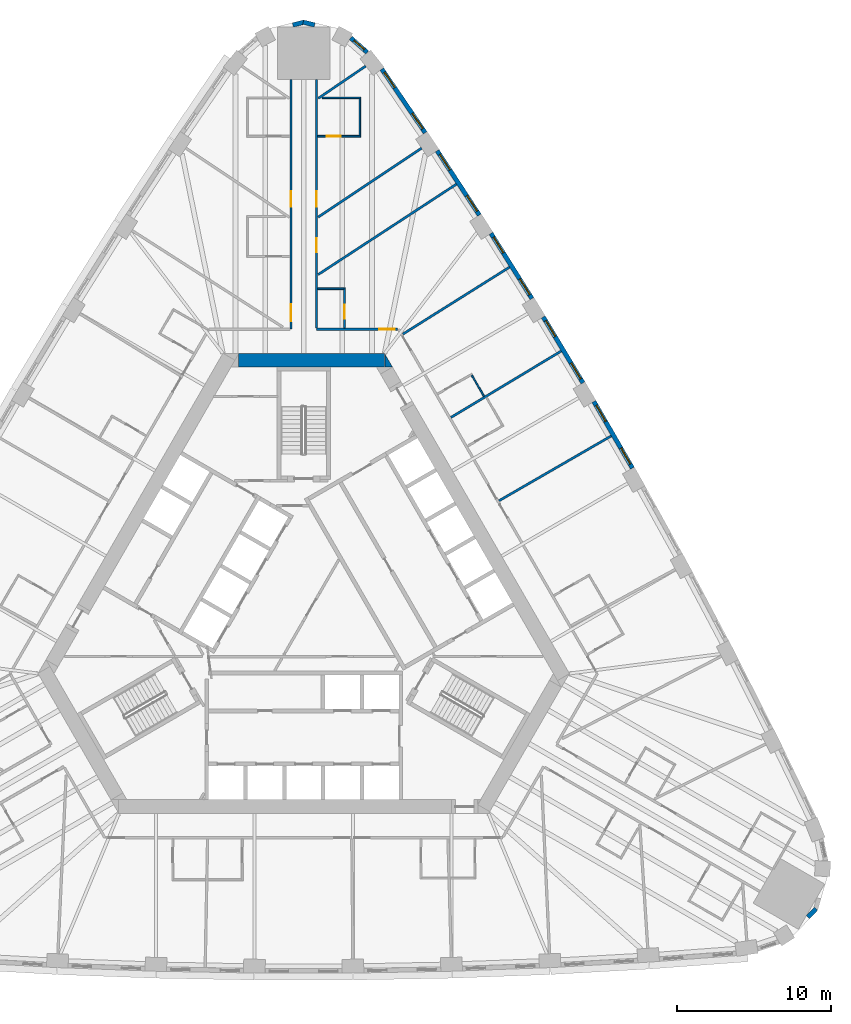
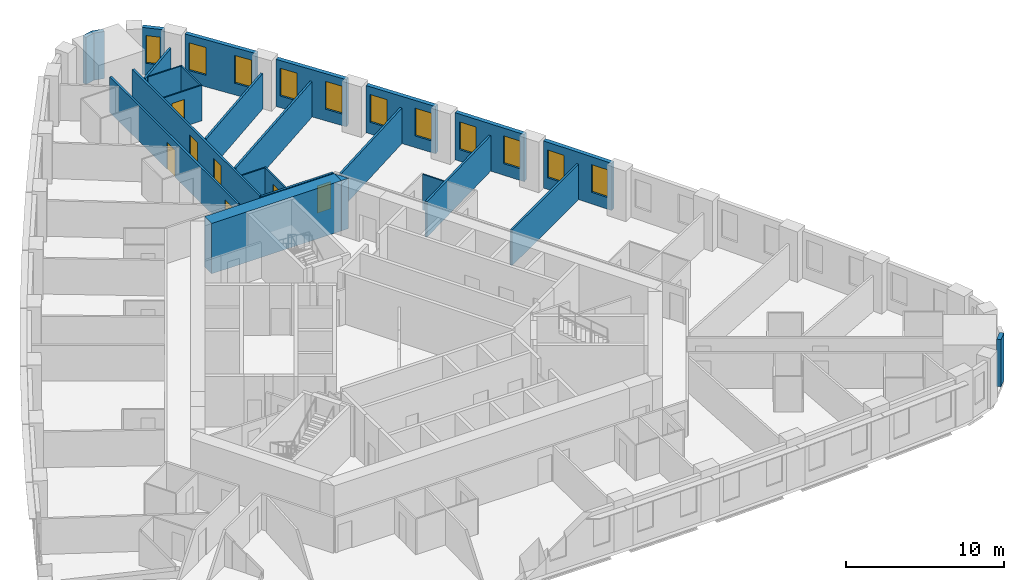
# One storey, part 11 of 13: 26 walls, 11 windows, 7 doors, 18 openings.
"""IFC4 building model written with IfcOpenShell, lengths in metres."""

from ifc_helpers import new_model, si_unit, direction, frame, frame_2d, origin, place, context, subcontext, project, spatial, polyline, rectangle, outline, extrude, material, layer, layer_set, type_object, element, fill, save


model = new_model("IFC4")

# Units and contexts
model_context = context("Model", 3, precision=1e-05, world=origin(), true_north=direction((0.0, 1.0)))
body_context = subcontext(model_context, "Body", "Model", "MODEL_VIEW")
ifc_project = project(units=[si_unit("LENGTHUNIT", "METRE"), si_unit("AREAUNIT", "SQUARE_METRE"), si_unit("VOLUMEUNIT", "CUBIC_METRE"), si_unit("PLANEANGLEUNIT", "RADIAN"), si_unit("MASSUNIT", "GRAM", prefix="KILO")], contexts=[model_context])

# Site, building, storey
site_placement = place(None, origin())
site = spatial("IfcSite", under=ifc_project, at=site_placement, CompositionType="ELEMENT")
building_placement = place(site_placement, origin())
building = spatial("IfcBuilding", under=site, at=building_placement, Name="Mestral Congress Tower", CompositionType="ELEMENT")
storey_placement = place(building_placement, frame((0.0, 0.0, 54.89990234375)))
storey = spatial("IfcBuildingStorey", under=building, at=storey_placement, Name="L12", CompositionType="ELEMENT", Elevation=54.89990234375)

# Walls
ifc_material_1 = material(Name="Concrete C60/75", Category="concrete")
ifc_layer_1 = layer(ifc_material_1, 0.89990234375)
ifc_layer_set_1 = layer_set([ifc_layer_1], Name="Concrete C60/75")
wall_type_1 = type_object("IfcWallType", Name="Core wall RC 900", PredefinedType="SOLIDWALL", material=ifc_layer_set_1)
wall_1_placement = place(storey_placement, frame((-4.224365234375, 16.449951171875, 0.0), z_axis=(0.0, 0.0, 1.0), x_axis=(1.0, 0.0, 0.0)))
element("IfcWall", 1, at=wall_1_placement, inside=storey, type_object=wall_type_1, Name="L12 core wall", PredefinedType="SOLIDWALL", context=body_context, shape_type="SweptSolid", body=[
    extrude(rectangle(XDim=9.48779296875, YDim=0.89990234375, at=frame_2d((4.743896484375, 0.0))), origin(), (0.0, 0.0, 1.0), 3.900146484375),
])
wall_2_placement = place(storey_placement, origin())
element("IfcWall", 2, at=wall_2_placement, inside=storey, type_object=wall_type_1, Name="L12 core wall", PredefinedType="SOLIDWALL", context=body_context, shape_type="SweptSolid", body=[
    extrude(outline(polyline([(5.265380859375, 16.0), (5.265380859375, 16.8798828125), (5.7734375, 16.0), (5.265380859375, 16.0)])), origin(), (0.0, 0.0, 1.0), 3.900146484375),
])
ifc_material_2 = material(Name="Precast concrete C40/50 with limestone facing", Category="masonry")
ifc_layer_2 = layer(ifc_material_2, 0.2900390625)
ifc_layer_set_2 = layer_set([ifc_layer_2], Name="Precast concrete C40/50 with limestone facing")
wall_type_2 = type_object("IfcWallType", Name="Facade stone wall 290", PredefinedType="SOLIDWALL", material=ifc_layer_set_2)
wall_3_placement = place(storey_placement, frame((32.762451171875, -19.732177734375, 0.0), z_axis=(0.0, 0.0, 1.0), x_axis=(0.692252359589, 0.721655506903, 0.0)))
element("IfcWall", 3, at=wall_3_placement, inside=storey, type_object=wall_type_2, Name="Facade wall K0-1", PredefinedType="SOLIDWALL", context=body_context, shape_type="SweptSolid", body=[
    extrude(rectangle(XDim=0.763916015625, YDim=0.2900390625, at=frame_2d((0.3818359375, 0.0))), origin(), (0.0, 0.0, 1.0), 3.650146484375),
])

# Wall, openings, windows
wall_4_placement = place(storey_placement, frame((21.357177734375, 9.44482421875, 0.0), z_axis=(0.0, 0.0, 1.0), x_axis=(-0.50002123722, 0.866013142123, 0.0)))
wall_4 = element("IfcWall", 4, at=wall_4_placement, inside=storey, type_object=wall_type_2, Name="Facade wall F1-04", PredefinedType="SOLIDWALL", context=body_context, shape_type="SweptSolid", body=[
    extrude(rectangle(XDim=4.998291015625, YDim=0.2900390625, at=frame_2d((2.4990234375, 0.0))), origin(), (0.0, 0.0, 1.0), 3.650146484375),
])
opening_1_placement = place(wall_4_placement, frame((0.297119140625, 0.0, 0.89990234375)))
opening_1 = element("IfcOpeningElement", 5, at=opening_1_placement, cuts=wall_4, Name="Opening W1", PredefinedType="OPENING", context=body_context, shape_type="SweptSolid", body=[
    extrude(rectangle(XDim=1.199951171875, YDim=2.14990234375, at=frame_2d((0.60009765625, 1.074951171875))), frame((0.0, 0.155029296875, 0.0), z_axis=(0.0, -1.0, 0.0), x_axis=(1.0, 0.0, 0.0)), (0.0, 0.0, 1.0), 0.31005859375),
])
opening_2_placement = place(wall_4_placement, frame((3.501220703125, 0.0, 0.89990234375)))
opening_2 = element("IfcOpeningElement", 6, at=opening_2_placement, cuts=wall_4, Name="Opening W1", PredefinedType="OPENING", context=body_context, shape_type="SweptSolid", body=[
    extrude(rectangle(XDim=1.199951171875, YDim=2.14990234375, at=frame_2d((0.60009765625, 1.074951171875))), frame((0.0, 0.155029296875, 0.0), z_axis=(0.0, -1.0, 0.0), x_axis=(1.0, 0.0, 0.0)), (0.0, 0.0, 1.0), 0.31005859375),
])
ifc_material_3 = material(Name="Clear low-emissivity double glazing", Category="glass")
window_type_1 = type_object("IfcWindowType", Name="Facade punched window 1200 x 2150 sill 900", PartitioningType="DOUBLE_PANEL_VERTICAL", PredefinedType="WINDOW", material=ifc_material_3)
window_1_placement = place(opening_1_placement, origin())
window_1 = element("IfcWindow", 7, at=window_1_placement, inside=storey, type_object=window_type_1, Name="Window F1-04a", OverallHeight=2.14990234375, OverallWidth=1.199951171875, PartitioningType="DOUBLE_PANEL_VERTICAL", PredefinedType="WINDOW", context=body_context, shape_type="SweptSolid", body=[
    extrude(rectangle(XDim=1.199951171875, YDim=2.14990234375, at=frame_2d((0.60009765625, 1.074951171875))), frame((0.0, 0.01513671875, 0.0), z_axis=(0.0, -1.0, 0.0), x_axis=(1.0, 0.0, 0.0)), (0.0, 0.0, 1.0), 0.06005859375),
])
fill(opening_1, window_1)
window_2_placement = place(opening_2_placement, origin())
window_2 = element("IfcWindow", 8, at=window_2_placement, inside=storey, type_object=window_type_1, Name="Window F1-04b", OverallHeight=2.14990234375, OverallWidth=1.199951171875, PartitioningType="DOUBLE_PANEL_VERTICAL", PredefinedType="WINDOW", context=body_context, shape_type="SweptSolid", body=[
    extrude(rectangle(XDim=1.199951171875, YDim=2.14990234375, at=frame_2d((0.60009765625, 1.074951171875))), frame((0.0, 0.01513671875, 0.0), z_axis=(0.0, -1.0, 0.0), x_axis=(1.0, 0.0, 0.0)), (0.0, 0.0, 1.0), 0.06005859375),
])
fill(opening_2, window_2)

wall_5_placement = place(storey_placement, frame((18.143310546875, 14.985595703125, 0.0), z_axis=(0.0, 0.0, 1.0), x_axis=(-0.515938796285, 0.856625448191, 0.0)))
wall_5 = element("IfcWall", 9, at=wall_5_placement, inside=storey, type_object=wall_type_2, Name="Facade wall F1-05", PredefinedType="SOLIDWALL", context=body_context, shape_type="SweptSolid", body=[
    extrude(rectangle(XDim=4.998291015625, YDim=0.2900390625, at=frame_2d((2.4990234375, 0.0))), origin(), (0.0, 0.0, 1.0), 3.650146484375),
])
opening_3_placement = place(wall_5_placement, frame((0.297119140625, 0.0, 0.89990234375)))
opening_3 = element("IfcOpeningElement", 10, at=opening_3_placement, cuts=wall_5, Name="Opening W1", PredefinedType="OPENING", context=body_context, shape_type="SweptSolid", body=[
    extrude(rectangle(XDim=1.199951171875, YDim=2.14990234375, at=frame_2d((0.60009765625, 1.074951171875))), frame((0.0, 0.155029296875, 0.0), z_axis=(0.0, -1.0, 0.0), x_axis=(1.0, 0.0, 0.0)), (0.0, 0.0, 1.0), 0.31005859375),
])
opening_4_placement = place(wall_5_placement, frame((3.501220703125, 0.0, 0.89990234375)))
opening_4 = element("IfcOpeningElement", 11, at=opening_4_placement, cuts=wall_5, Name="Opening W1", PredefinedType="OPENING", context=body_context, shape_type="SweptSolid", body=[
    extrude(rectangle(XDim=1.199951171875, YDim=2.14990234375, at=frame_2d((0.60009765625, 1.074951171875))), frame((0.0, 0.155029296875, 0.0), z_axis=(0.0, -1.0, 0.0), x_axis=(1.0, 0.0, 0.0)), (0.0, 0.0, 1.0), 0.31005859375),
])
window_3_placement = place(opening_3_placement, origin())
window_3 = element("IfcWindow", 12, at=window_3_placement, inside=storey, type_object=window_type_1, Name="Window F1-05a", OverallHeight=2.14990234375, OverallWidth=1.199951171875, PartitioningType="DOUBLE_PANEL_VERTICAL", PredefinedType="WINDOW", context=body_context, shape_type="SweptSolid", body=[
    extrude(rectangle(XDim=1.199951171875, YDim=2.14990234375, at=frame_2d((0.60009765625, 1.074951171875))), frame((0.0, 0.01513671875, 0.0), z_axis=(0.0, -1.0, 0.0), x_axis=(1.0, 0.0, 0.0)), (0.0, 0.0, 1.0), 0.06005859375),
])
fill(opening_3, window_3)
window_4_placement = place(opening_4_placement, origin())
window_4 = element("IfcWindow", 13, at=window_4_placement, inside=storey, type_object=window_type_1, Name="Window F1-05b", OverallHeight=2.14990234375, OverallWidth=1.199951171875, PartitioningType="DOUBLE_PANEL_VERTICAL", PredefinedType="WINDOW", context=body_context, shape_type="SweptSolid", body=[
    extrude(rectangle(XDim=1.199951171875, YDim=2.14990234375, at=frame_2d((0.60009765625, 1.074951171875))), frame((0.0, 0.01513671875, 0.0), z_axis=(0.0, -1.0, 0.0), x_axis=(1.0, 0.0, 0.0)), (0.0, 0.0, 1.0), 0.06005859375),
])
fill(opening_4, window_4)

wall_6_placement = place(storey_placement, frame((14.827392578125, 20.466064453125, 0.0), z_axis=(0.0, 0.0, 1.0), x_axis=(-0.531688286542, 0.846940119462, 0.0)))
wall_6 = element("IfcWall", 14, at=wall_6_placement, inside=storey, type_object=wall_type_2, Name="Facade wall F1-06", PredefinedType="SOLIDWALL", context=body_context, shape_type="SweptSolid", body=[
    extrude(rectangle(XDim=4.998291015625, YDim=0.2900390625, at=frame_2d((2.4990234375, 0.0))), origin(), (0.0, 0.0, 1.0), 3.650146484375),
])
opening_5_placement = place(wall_6_placement, frame((0.297119140625, 0.0, 0.89990234375)))
opening_5 = element("IfcOpeningElement", 15, at=opening_5_placement, cuts=wall_6, Name="Opening W1", PredefinedType="OPENING", context=body_context, shape_type="SweptSolid", body=[
    extrude(rectangle(XDim=1.199951171875, YDim=2.14990234375, at=frame_2d((0.60009765625, 1.074951171875))), frame((0.0, 0.155029296875, 0.0), z_axis=(0.0, -1.0, 0.0), x_axis=(1.0, 0.0, 0.0)), (0.0, 0.0, 1.0), 0.31005859375),
])
opening_6_placement = place(wall_6_placement, frame((3.501220703125, 0.0, 0.89990234375)))
opening_6 = element("IfcOpeningElement", 16, at=opening_6_placement, cuts=wall_6, Name="Opening W1", PredefinedType="OPENING", context=body_context, shape_type="SweptSolid", body=[
    extrude(rectangle(XDim=1.199951171875, YDim=2.14990234375, at=frame_2d((0.60009765625, 1.074951171875))), frame((0.0, 0.155029296875, 0.0), z_axis=(0.0, -1.0, 0.0), x_axis=(1.0, 0.0, 0.0)), (0.0, 0.0, 1.0), 0.31005859375),
])
window_5_placement = place(opening_5_placement, origin())
window_5 = element("IfcWindow", 17, at=window_5_placement, inside=storey, type_object=window_type_1, Name="Window F1-06a", OverallHeight=2.14990234375, OverallWidth=1.199951171875, PartitioningType="DOUBLE_PANEL_VERTICAL", PredefinedType="WINDOW", context=body_context, shape_type="SweptSolid", body=[
    extrude(rectangle(XDim=1.199951171875, YDim=2.14990234375, at=frame_2d((0.60009765625, 1.074951171875))), frame((0.0, 0.01513671875, 0.0), z_axis=(0.0, -1.0, 0.0), x_axis=(1.0, 0.0, 0.0)), (0.0, 0.0, 1.0), 0.06005859375),
])
fill(opening_5, window_5)
window_6_placement = place(opening_6_placement, origin())
window_6 = element("IfcWindow", 18, at=window_6_placement, inside=storey, type_object=window_type_1, Name="Window F1-06b", OverallHeight=2.14990234375, OverallWidth=1.199951171875, PartitioningType="DOUBLE_PANEL_VERTICAL", PredefinedType="WINDOW", context=body_context, shape_type="SweptSolid", body=[
    extrude(rectangle(XDim=1.199951171875, YDim=2.14990234375, at=frame_2d((0.60009765625, 1.074951171875))), frame((0.0, 0.01513671875, 0.0), z_axis=(0.0, -1.0, 0.0), x_axis=(1.0, 0.0, 0.0)), (0.0, 0.0, 1.0), 0.06005859375),
])
fill(opening_6, window_6)

wall_7_placement = place(storey_placement, frame((11.41064453125, 25.884033203125, 0.0), z_axis=(0.0, 0.0, 1.0), x_axis=(-0.547204617628, 0.836998868845, 0.0)))
wall_7 = element("IfcWall", 19, at=wall_7_placement, inside=storey, type_object=wall_type_2, Name="Facade wall F1-07", PredefinedType="SOLIDWALL", context=body_context, shape_type="SweptSolid", body=[
    extrude(rectangle(XDim=4.998291015625, YDim=0.2900390625, at=frame_2d((2.4990234375, 0.0))), origin(), (0.0, 0.0, 1.0), 3.650146484375),
])
opening_7_placement = place(wall_7_placement, frame((0.297119140625, 0.0, 0.89990234375)))
opening_7 = element("IfcOpeningElement", 20, at=opening_7_placement, cuts=wall_7, Name="Opening W1", PredefinedType="OPENING", context=body_context, shape_type="SweptSolid", body=[
    extrude(rectangle(XDim=1.199951171875, YDim=2.14990234375, at=frame_2d((0.60009765625, 1.074951171875))), frame((0.0, 0.155029296875, 0.0), z_axis=(0.0, -1.0, 0.0), x_axis=(1.0, 0.0, 0.0)), (0.0, 0.0, 1.0), 0.31005859375),
])
opening_8_placement = place(wall_7_placement, frame((3.501220703125, 0.0, 0.89990234375)))
opening_8 = element("IfcOpeningElement", 21, at=opening_8_placement, cuts=wall_7, Name="Opening W1", PredefinedType="OPENING", context=body_context, shape_type="SweptSolid", body=[
    extrude(rectangle(XDim=1.199951171875, YDim=2.14990234375, at=frame_2d((0.60009765625, 1.074951171875))), frame((0.0, 0.155029296875, 0.0), z_axis=(0.0, -1.0, 0.0), x_axis=(1.0, 0.0, 0.0)), (0.0, 0.0, 1.0), 0.31005859375),
])
window_7_placement = place(opening_7_placement, origin())
window_7 = element("IfcWindow", 22, at=window_7_placement, inside=storey, type_object=window_type_1, Name="Window F1-07a", OverallHeight=2.14990234375, OverallWidth=1.199951171875, PartitioningType="DOUBLE_PANEL_VERTICAL", PredefinedType="WINDOW", context=body_context, shape_type="SweptSolid", body=[
    extrude(rectangle(XDim=1.199951171875, YDim=2.14990234375, at=frame_2d((0.60009765625, 1.074951171875))), frame((0.0, 0.01513671875, 0.0), z_axis=(0.0, -1.0, 0.0), x_axis=(1.0, 0.0, 0.0)), (0.0, 0.0, 1.0), 0.06005859375),
])
fill(opening_7, window_7)
window_8_placement = place(opening_8_placement, origin())
window_8 = element("IfcWindow", 23, at=window_8_placement, inside=storey, type_object=window_type_1, Name="Window F1-07b", OverallHeight=2.14990234375, OverallWidth=1.199951171875, PartitioningType="DOUBLE_PANEL_VERTICAL", PredefinedType="WINDOW", context=body_context, shape_type="SweptSolid", body=[
    extrude(rectangle(XDim=1.199951171875, YDim=2.14990234375, at=frame_2d((0.60009765625, 1.074951171875))), frame((0.0, 0.01513671875, 0.0), z_axis=(0.0, -1.0, 0.0), x_axis=(1.0, 0.0, 0.0)), (0.0, 0.0, 1.0), 0.06005859375),
])
fill(opening_8, window_8)

wall_8_placement = place(storey_placement, frame((7.89453125, 31.23828125, 0.0), z_axis=(0.0, 0.0, 1.0), x_axis=(-0.562610153679, 0.826722332454, 0.0)))
wall_8 = element("IfcWall", 24, at=wall_8_placement, inside=storey, type_object=wall_type_2, Name="Facade wall F1-08", PredefinedType="SOLIDWALL", context=body_context, shape_type="SweptSolid", body=[
    extrude(rectangle(XDim=5.005615234375, YDim=0.2900390625, at=frame_2d((2.5029296875, 0.0))), origin(), (0.0, 0.0, 1.0), 3.650146484375),
])
opening_9_placement = place(wall_8_placement, frame((0.310302734375, 0.0, 0.89990234375)))
opening_9 = element("IfcOpeningElement", 25, at=opening_9_placement, cuts=wall_8, Name="Opening W1", PredefinedType="OPENING", context=body_context, shape_type="SweptSolid", body=[
    extrude(rectangle(XDim=1.199951171875, YDim=2.14990234375, at=frame_2d((0.60009765625, 1.074951171875))), frame((0.0, 0.155029296875, 0.0), z_axis=(0.0, -1.0, 0.0), x_axis=(1.0, 0.0, 0.0)), (0.0, 0.0, 1.0), 0.31005859375),
])
opening_10_placement = place(wall_8_placement, frame((3.54052734375, 0.0, 0.89990234375)))
opening_10 = element("IfcOpeningElement", 26, at=opening_10_placement, cuts=wall_8, Name="Opening W1", PredefinedType="OPENING", context=body_context, shape_type="SweptSolid", body=[
    extrude(rectangle(XDim=1.199951171875, YDim=2.14990234375, at=frame_2d((0.60009765625, 1.074951171875))), frame((0.0, 0.155029296875, 0.0), z_axis=(0.0, -1.0, 0.0), x_axis=(1.0, 0.0, 0.0)), (0.0, 0.0, 1.0), 0.31005859375),
])
window_9_placement = place(opening_9_placement, origin())
window_9 = element("IfcWindow", 27, at=window_9_placement, inside=storey, type_object=window_type_1, Name="Window F1-08a", OverallHeight=2.14990234375, OverallWidth=1.199951171875, PartitioningType="DOUBLE_PANEL_VERTICAL", PredefinedType="WINDOW", context=body_context, shape_type="SweptSolid", body=[
    extrude(rectangle(XDim=1.199951171875, YDim=2.14990234375, at=frame_2d((0.60009765625, 1.074951171875))), frame((0.0, 0.01513671875, 0.0), z_axis=(0.0, -1.0, 0.0), x_axis=(1.0, 0.0, 0.0)), (0.0, 0.0, 1.0), 0.06005859375),
])
fill(opening_9, window_9)
window_10_placement = place(opening_10_placement, origin())
window_10 = element("IfcWindow", 28, at=window_10_placement, inside=storey, type_object=window_type_1, Name="Window F1-08b", OverallHeight=2.14990234375, OverallWidth=1.199951171875, PartitioningType="DOUBLE_PANEL_VERTICAL", PredefinedType="WINDOW", context=body_context, shape_type="SweptSolid", body=[
    extrude(rectangle(XDim=1.199951171875, YDim=2.14990234375, at=frame_2d((0.60009765625, 1.074951171875))), frame((0.0, 0.01513671875, 0.0), z_axis=(0.0, -1.0, 0.0), x_axis=(1.0, 0.0, 0.0)), (0.0, 0.0, 1.0), 0.06005859375),
])
fill(opening_10, window_10)

# Wall, opening, window
wall_9_placement = place(storey_placement, frame((4.12548828125, 36.458984375, 0.0), z_axis=(0.0, 0.0, 1.0), x_axis=(-0.749812680302, 0.661650167731, 0.0)))
wall_9 = element("IfcWall", 29, at=wall_9_placement, inside=storey, type_object=wall_type_2, Name="Facade wall K1-0", PredefinedType="SOLIDWALL", context=body_context, shape_type="SweptSolid", body=[
    extrude(rectangle(XDim=1.4150390625, YDim=0.2900390625, at=frame_2d((0.70751953125, 0.0))), origin(), (0.0, 0.0, 1.0), 3.650146484375),
])
opening_11_placement = place(wall_9_placement, frame((0.257568359375, 0.0, 0.89990234375)))
opening_11 = element("IfcOpeningElement", 30, at=opening_11_placement, cuts=wall_9, Name="Opening W3", PredefinedType="OPENING", context=body_context, shape_type="SweptSolid", body=[
    extrude(rectangle(XDim=0.89990234375, YDim=2.14990234375, at=frame_2d((0.449951171875, 1.074951171875))), frame((0.0, 0.155029296875, 0.0), z_axis=(0.0, -1.0, 0.0), x_axis=(1.0, 0.0, 0.0)), (0.0, 0.0, 1.0), 0.31005859375),
])
window_type_2 = type_object("IfcWindowType", Name="Facade punched window 900 x 2150 sill 900", PartitioningType="SINGLE_PANEL", PredefinedType="WINDOW", material=ifc_material_3)
window_11_placement = place(opening_11_placement, origin())
window_11 = element("IfcWindow", 31, at=window_11_placement, inside=storey, type_object=window_type_2, Name="Window K1-0", OverallHeight=2.14990234375, OverallWidth=0.89990234375, PartitioningType="SINGLE_PANEL", PredefinedType="WINDOW", context=body_context, shape_type="SweptSolid", body=[
    extrude(rectangle(XDim=0.89990234375, YDim=2.14990234375, at=frame_2d((0.449951171875, 1.074951171875))), frame((0.0, 0.01513671875, 0.0), z_axis=(0.0, -1.0, 0.0), x_axis=(1.0, 0.0, 0.0)), (0.0, 0.0, 1.0), 0.06005859375),
])
fill(opening_11, window_11)

# Walls
for number, where, z_axis, x_axis, name in (
    (32, (0.707275390625, 38.2392578125, 0.0), (0.0, 0.0, 1.0), (-0.971167582305, 0.238397833629, 0.0), "Facade wall K1-1"),
    (33, (0.03466796875, 38.42138671875, 0.0), (0.0, 0.0, 1.0), (-0.971167582305, -0.238397833629, 0.0), "Facade wall K1-2"),
):
    element("IfcWall", number, at=place(storey_placement, frame(where, z_axis=z_axis, x_axis=x_axis)), inside=storey, type_object=wall_type_2, Name=name, PredefinedType="SOLIDWALL", context=body_context, shape_type="SweptSolid", body=[
        extrude(rectangle(XDim=0.763916015625, YDim=0.2900390625, at=frame_2d((0.3818359375, 0.0))), origin(), (0.0, 0.0, 1.0), 3.650146484375),
    ])
ifc_material_4 = material(Name="Gypsum board partition on metal studs with mineral wool", Category="composite")
ifc_layer_3 = layer(ifc_material_4, 0.10009765625)
ifc_layer_set_3 = layer_set([ifc_layer_3], Name="Gypsum board partition on metal studs with mineral wool")
wall_type_3 = type_object("IfcWallType", Name="Hotel partition wall 100", PredefinedType="PARTITIONING", material=ifc_layer_set_3)
wall_10_placement = place(storey_placement, frame((10.919921875, 15.486083984375, 0.0), z_axis=(0.0, 0.0, 1.0), x_axis=(0.499994407638, -0.866028632512, 0.0)))
element("IfcWall", 34, at=wall_10_placement, inside=storey, type_object=wall_type_3, Name="L12-h-pod14b", PredefinedType="PARTITIONING", context=body_context, shape_type="SweptSolid", body=[
    extrude(rectangle(XDim=1.580078125, YDim=0.10009765625, at=frame_2d((0.7900390625, 0.0))), origin(), (0.0, 0.0, 1.0), 2.75),
])

# Wall, opening, door
wall_11_placement = place(storey_placement, frame((2.65087890625, 18.550048828125, 0.0), z_axis=(0.0, 0.0, 1.0), x_axis=(0.0, 1.0, 0.0)))
wall_11 = element("IfcWall", 35, at=wall_11_placement, inside=storey, type_object=wall_type_3, Name="L12-h-pod15a", PredefinedType="PARTITIONING", context=body_context, shape_type="SweptSolid", body=[
    extrude(rectangle(XDim=2.599853515625, YDim=0.10009765625, at=frame_2d((1.2998046875, 0.0))), origin(), (0.0, 0.0, 1.0), 2.75),
])
opening_12_placement = place(wall_11_placement, frame((0.60009765625, 0.0, 0.0)))
opening_12 = element("IfcOpeningElement", 36, at=opening_12_placement, cuts=wall_11, Name="Opening H03-030", PredefinedType="OPENING", context=body_context, shape_type="SweptSolid", body=[
    extrude(rectangle(XDim=0.89990234375, YDim=2.10009765625, at=frame_2d((0.449951171875, 1.050048828125))), frame((0.0, 0.06005859375, 0.0), z_axis=(0.0, -1.0, 0.0), x_axis=(1.0, 0.0, 0.0)), (0.0, 0.0, 1.0), 0.1201171875),
])
ifc_material_5 = material(Name="Timber veneer door leaf in timber frame", Category="wood")
door_type_1 = type_object("IfcDoorType", Name="Bathroom door 900", OperationType="SINGLE_SWING_LEFT", PredefinedType="DOOR", material=ifc_material_5)
door_1_placement = place(opening_12_placement, origin())
door_1 = element("IfcDoor", 37, at=door_1_placement, inside=storey, type_object=door_type_1, Name="L12-h-d030", OperationType="SINGLE_SWING_RIGHT", OverallHeight=2.10009765625, OverallWidth=0.89990234375, PredefinedType="DOOR", context=body_context, shape_type="SweptSolid", body=[
    extrude(rectangle(XDim=0.89990234375, YDim=2.10009765625, at=frame_2d((0.449951171875, 1.050048828125))), frame((0.0, 0.02490234375, 0.0), z_axis=(0.0, -1.0, 0.0), x_axis=(1.0, 0.0, 0.0)), (0.0, 0.0, 1.0), 0.050048828125),
])
fill(opening_12, door_1)

# Wall
wall_12_placement = place(storey_placement, frame((2.60107421875, 21.10009765625, 0.0), z_axis=(0.0, 0.0, 1.0), x_axis=(-1.0, 0.0, 0.0)))
element("IfcWall", 38, at=wall_12_placement, inside=storey, type_object=wall_type_3, Name="L12-h-pod15b", PredefinedType="PARTITIONING", context=body_context, shape_type="SweptSolid", body=[
    extrude(rectangle(XDim=1.7001953125, YDim=0.10009765625, at=frame_2d((0.85009765625, 0.0))), origin(), (0.0, 0.0, 1.0), 2.75),
])

# Wall, opening, door
wall_13_placement = place(storey_placement, frame((0.89990234375, 31.008544921875, 0.0), z_axis=(0.0, 0.0, 1.0), x_axis=(1.0, 0.0, 0.0)))
wall_13 = element("IfcWall", 39, at=wall_13_placement, inside=storey, type_object=wall_type_3, Name="L12-h-pod17a", PredefinedType="PARTITIONING", context=body_context, shape_type="SweptSolid", body=[
    extrude(rectangle(XDim=2.800048828125, YDim=0.10009765625, at=frame_2d((1.39990234375, 0.0))), origin(), (0.0, 0.0, 1.0), 2.75),
])
opening_13_placement = place(wall_13_placement, frame((0.60009765625, 0.0, 0.0)))
opening_13 = element("IfcOpeningElement", 40, at=opening_13_placement, cuts=wall_13, Name="Opening H03-033", PredefinedType="OPENING", context=body_context, shape_type="SweptSolid", body=[
    extrude(rectangle(XDim=0.89990234375, YDim=2.10009765625, at=frame_2d((0.449951171875, 1.050048828125))), frame((0.0, 0.06005859375, 0.0), z_axis=(0.0, -1.0, 0.0), x_axis=(1.0, 0.0, 0.0)), (0.0, 0.0, 1.0), 0.1201171875),
])
door_2_placement = place(opening_13_placement, origin())
door_2 = element("IfcDoor", 41, at=door_2_placement, inside=storey, type_object=door_type_1, Name="L12-h-d033", OperationType="SINGLE_SWING_LEFT", OverallHeight=2.10009765625, OverallWidth=0.89990234375, PredefinedType="DOOR", context=body_context, shape_type="SweptSolid", body=[
    extrude(rectangle(XDim=0.89990234375, YDim=2.10009765625, at=frame_2d((0.449951171875, 1.050048828125))), frame((0.0, 0.02490234375, 0.0), z_axis=(0.0, -1.0, 0.0), x_axis=(1.0, 0.0, 0.0)), (0.0, 0.0, 1.0), 0.050048828125),
])
fill(opening_13, door_2)

# Walls
wall_14_placement = place(storey_placement, frame((3.64990234375, 31.05859375, 0.0), z_axis=(0.0, 0.0, 1.0), x_axis=(0.0, 1.0, 0.0)))
element("IfcWall", 42, at=wall_14_placement, inside=storey, type_object=wall_type_3, Name="L12-h-pod17b", PredefinedType="PARTITIONING", context=body_context, shape_type="SweptSolid", body=[
    extrude(rectangle(XDim=2.39990234375, YDim=0.10009765625, at=frame_2d((1.199951171875, 0.0))), origin(), (0.0, 0.0, 1.0), 2.75),
])
wall_15_placement = place(storey_placement, frame((1.199951171875, 33.508544921875, 0.0), z_axis=(0.0, 0.0, 1.0), x_axis=(1.0, 0.0, 0.0)))
element("IfcWall", 43, at=wall_15_placement, inside=storey, type_object=wall_type_3, Name="L12-h-pod17c", PredefinedType="PARTITIONING", context=body_context, shape_type="SweptSolid", body=[
    extrude(rectangle(XDim=2.5, YDim=0.10009765625, at=frame_2d((1.25, 0.0))), origin(), (0.0, 0.0, 1.0), 2.75),
])

# Wall, opening, door
ifc_layer_4 = layer(ifc_material_4, 0.14990234375)
ifc_layer_set_4 = layer_set([ifc_layer_4], Name="Gypsum board partition on metal studs with mineral wool")
wall_type_4 = type_object("IfcWallType", Name="Hotel partition wall 150", PredefinedType="PARTITIONING", material=ifc_layer_set_4)
wall_16_placement = place(storey_placement, frame((0.824951171875, 18.47509765625, 0.0), z_axis=(0.0, 0.0, 1.0), x_axis=(1.0, 0.0, 0.0)))
wall_16 = element("IfcWall", 44, at=wall_16_placement, inside=storey, type_object=wall_type_4, Name="L12-h-cw04", PredefinedType="PARTITIONING", context=body_context, shape_type="SweptSolid", body=[
    extrude(rectangle(XDim=5.268310546875, YDim=0.14990234375, at=frame_2d((2.63427734375, 0.0))), origin(), (0.0, 0.0, 1.0), 2.75),
])
opening_14_placement = place(wall_16_placement, frame((4.088134765625, 0.0, 0.0)))
opening_14 = element("IfcOpeningElement", 45, at=opening_14_placement, cuts=wall_16, Name="Opening H03-029", PredefinedType="OPENING", context=body_context, shape_type="SweptSolid", body=[
    extrude(rectangle(XDim=1.0, YDim=2.10009765625, at=frame_2d((0.5, 1.050048828125))), frame((0.0, 0.0849609375, 0.0), z_axis=(0.0, -1.0, 0.0), x_axis=(1.0, 0.0, 0.0)), (0.0, 0.0, 1.0), 0.169921875),
])
ifc_material_6 = material(Name="Timber veneer door leaf in metal frame", Category="wood")
door_type_2 = type_object("IfcDoorType", Name="Guest room entrance door 1000", OperationType="SINGLE_SWING_LEFT", PredefinedType="DOOR", material=ifc_material_6)
door_3_placement = place(opening_14_placement, origin())
door_3 = element("IfcDoor", 46, at=door_3_placement, inside=storey, type_object=door_type_2, Name="L12-h-d029", OperationType="SINGLE_SWING_RIGHT", OverallHeight=2.10009765625, OverallWidth=1.0, PredefinedType="DOOR", context=body_context, shape_type="SweptSolid", body=[
    extrude(rectangle(XDim=1.0, YDim=2.10009765625, at=frame_2d((0.5, 1.050048828125))), frame((0.0, 0.02490234375, 0.0), z_axis=(0.0, -1.0, 0.0), x_axis=(1.0, 0.0, 0.0)), (0.0, 0.0, 1.0), 0.050048828125),
])
fill(opening_14, door_3)

# Wall, openings, doors
wall_17_placement = place(storey_placement, frame((0.824951171875, 34.698974609375, 0.0), z_axis=(0.0, 0.0, 1.0), x_axis=(0.0, -1.0, 0.0)))
wall_17 = element("IfcWall", 47, at=wall_17_placement, inside=storey, type_object=wall_type_4, Name="L12-h-cw05", PredefinedType="PARTITIONING", context=body_context, shape_type="SweptSolid", body=[
    extrude(rectangle(XDim=16.14404296875, YDim=0.14990234375, at=frame_2d((8.072021484375, 0.0))), origin(), (0.0, 0.0, 1.0), 2.75),
])
opening_15_placement = place(wall_17_placement, frame((10.3291015625, 0.0, 0.0)))
opening_15 = element("IfcOpeningElement", 48, at=opening_15_placement, cuts=wall_17, Name="Opening H03-031", PredefinedType="OPENING", context=body_context, shape_type="SweptSolid", body=[
    extrude(rectangle(XDim=0.89990234375, YDim=2.10009765625, at=frame_2d((0.449951171875, 1.050048828125))), frame((0.0, 0.0849609375, 0.0), z_axis=(0.0, -1.0, 0.0), x_axis=(1.0, 0.0, 0.0)), (0.0, 0.0, 1.0), 0.169921875),
])
opening_16_placement = place(wall_17_placement, frame((7.274658203125, 0.0, 0.0)))
opening_16 = element("IfcOpeningElement", 49, at=opening_16_placement, cuts=wall_17, Name="Opening H03-032", PredefinedType="OPENING", context=body_context, shape_type="SweptSolid", body=[
    extrude(rectangle(XDim=1.0, YDim=2.10009765625, at=frame_2d((0.5, 1.050048828125))), frame((0.0, 0.0849609375, 0.0), z_axis=(0.0, -1.0, 0.0), x_axis=(1.0, 0.0, 0.0)), (0.0, 0.0, 1.0), 0.169921875),
])
door_4_placement = place(opening_16_placement, origin())
door_4 = element("IfcDoor", 50, at=door_4_placement, inside=storey, type_object=door_type_2, Name="L12-h-d032", OperationType="SINGLE_SWING_RIGHT", OverallHeight=2.10009765625, OverallWidth=1.0, PredefinedType="DOOR", context=body_context, shape_type="SweptSolid", body=[
    extrude(rectangle(XDim=1.0, YDim=2.10009765625, at=frame_2d((0.5, 1.050048828125))), frame((0.0, 0.02490234375, 0.0), z_axis=(0.0, -1.0, 0.0), x_axis=(1.0, 0.0, 0.0)), (0.0, 0.0, 1.0), 0.050048828125),
])
fill(opening_16, door_4)
door_type_3 = type_object("IfcDoorType", Name="Service room door 900", OperationType="SINGLE_SWING_LEFT", PredefinedType="DOOR", material=ifc_material_6)
door_5_placement = place(opening_15_placement, origin())
door_5 = element("IfcDoor", 51, at=door_5_placement, inside=storey, type_object=door_type_3, Name="L12-h-d031", OperationType="SINGLE_SWING_RIGHT", OverallHeight=2.10009765625, OverallWidth=0.89990234375, PredefinedType="DOOR", context=body_context, shape_type="SweptSolid", body=[
    extrude(rectangle(XDim=0.89990234375, YDim=2.10009765625, at=frame_2d((0.449951171875, 1.050048828125))), frame((0.0, 0.02490234375, 0.0), z_axis=(0.0, -1.0, 0.0), x_axis=(1.0, 0.0, 0.0)), (0.0, 0.0, 1.0), 0.050048828125),
])
fill(opening_15, door_5)

wall_18_placement = place(storey_placement, frame((-0.824951171875, 18.47509765625, 0.0), z_axis=(0.0, 0.0, 1.0), x_axis=(0.0, 1.0, 0.0)))
wall_18 = element("IfcWall", 52, at=wall_18_placement, inside=storey, type_object=wall_type_4, Name="L12-h-cw06", PredefinedType="PARTITIONING", context=body_context, shape_type="SweptSolid", body=[
    extrude(rectangle(XDim=16.223876953125, YDim=0.14990234375, at=frame_2d((8.11181640625, 0.0))), origin(), (0.0, 0.0, 1.0), 2.75),
])
opening_17_placement = place(wall_18_placement, frame((7.948974609375, 0.0, 0.0)))
opening_17 = element("IfcOpeningElement", 53, at=opening_17_placement, cuts=wall_18, Name="Opening H03-034", PredefinedType="OPENING", context=body_context, shape_type="SweptSolid", body=[
    extrude(rectangle(XDim=1.0, YDim=2.10009765625, at=frame_2d((0.5, 1.050048828125))), frame((0.0, 0.0849609375, 0.0), z_axis=(0.0, -1.0, 0.0), x_axis=(1.0, 0.0, 0.0)), (0.0, 0.0, 1.0), 0.169921875),
])
opening_18_placement = place(wall_18_placement, frame((0.52587890625, 0.0, 0.0)))
opening_18 = element("IfcOpeningElement", 54, at=opening_18_placement, cuts=wall_18, Name="Opening H03-036", PredefinedType="OPENING", context=body_context, shape_type="SweptSolid", body=[
    extrude(rectangle(XDim=1.10009765625, YDim=2.10009765625, at=frame_2d((0.550048828125, 1.050048828125))), frame((0.0, 0.0849609375, 0.0), z_axis=(0.0, -1.0, 0.0), x_axis=(1.0, 0.0, 0.0)), (0.0, 0.0, 1.0), 0.169921875),
])
door_type_4 = type_object("IfcDoorType", Name="Accessible room entrance door 1100", OperationType="SINGLE_SWING_LEFT", PredefinedType="DOOR", material=ifc_material_6)
door_6_placement = place(opening_18_placement, origin())
door_6 = element("IfcDoor", 55, at=door_6_placement, inside=storey, type_object=door_type_4, Name="L12-h-d036", OperationType="SINGLE_SWING_LEFT", OverallHeight=2.10009765625, OverallWidth=1.10009765625, PredefinedType="DOOR", context=body_context, shape_type="SweptSolid", body=[
    extrude(rectangle(XDim=1.10009765625, YDim=2.10009765625, at=frame_2d((0.550048828125, 1.050048828125))), frame((0.0, 0.02490234375, 0.0), z_axis=(0.0, -1.0, 0.0), x_axis=(1.0, 0.0, 0.0)), (0.0, 0.0, 1.0), 0.050048828125),
])
fill(opening_18, door_6)
door_7_placement = place(opening_17_placement, origin())
door_7 = element("IfcDoor", 56, at=door_7_placement, inside=storey, type_object=door_type_2, Name="L12-h-d034", OperationType="SINGLE_SWING_LEFT", OverallHeight=2.10009765625, OverallWidth=1.0, PredefinedType="DOOR", context=body_context, shape_type="SweptSolid", body=[
    extrude(rectangle(XDim=1.0, YDim=2.10009765625, at=frame_2d((0.5, 1.050048828125))), frame((0.0, 0.02490234375, 0.0), z_axis=(0.0, -1.0, 0.0), x_axis=(1.0, 0.0, 0.0)), (0.0, 0.0, 1.0), 0.050048828125),
])
fill(opening_17, door_7)

# Walls
wall_19_placement = place(storey_placement, frame((9.921630859375, 27.896484375, 0.0), z_axis=(0.0, 0.0, 1.0), x_axis=(-0.836970816595, -0.547247523675, 0.0)))
element("IfcWall", 57, at=wall_19_placement, inside=storey, type_object=wall_type_4, Name="L12-h-pw14", PredefinedType="PARTITIONING", context=body_context, shape_type="SweptSolid", body=[
    extrude(rectangle(XDim=10.728759765625, YDim=0.14990234375, at=frame_2d((5.3642578125, 0.0))), origin(), (0.0, 0.0, 1.0), 2.75),
])
wall_20_placement = place(storey_placement, frame((7.662353515625, 30.237548828125, 0.0), z_axis=(0.0, 0.0, 1.0), x_axis=(-0.831882886825, -0.554951225431, 0.0)))
element("IfcWall", 58, at=wall_20_placement, inside=storey, type_object=wall_type_4, Name="L12-h-pw15", PredefinedType="PARTITIONING", context=body_context, shape_type="SweptSolid", body=[
    extrude(rectangle(XDim=8.078857421875, YDim=0.14990234375, at=frame_2d((4.03955078125, 0.0))), origin(), (0.0, 0.0, 1.0), 2.75),
])
wall_21_placement = place(storey_placement, frame((4.02783203125, 35.56884765625, 0.0), z_axis=(0.0, 0.0, 1.0), x_axis=(-0.826700206326, -0.56264266534, 0.0)))
element("IfcWall", 59, at=wall_21_placement, inside=storey, type_object=wall_type_4, Name="L12-h-pw16", PredefinedType="PARTITIONING", context=body_context, shape_type="SweptSolid", body=[
    extrude(rectangle(XDim=3.7333984375, YDim=0.14990234375, at=frame_2d((1.86669921875, 0.0))), origin(), (0.0, 0.0, 1.0), 2.75),
])
wall_22_placement = place(storey_placement, frame((13.375732421875, 22.505615234375, 0.0), z_axis=(0.0, 0.0, 1.0), x_axis=(-0.846945608893, -0.531679542183, 0.0)))
element("IfcWall", 60, at=wall_22_placement, inside=storey, type_object=wall_type_4, Name="L12-h-pw18", PredefinedType="PARTITIONING", context=body_context, shape_type="SweptSolid", body=[
    extrude(rectangle(XDim=8.182373046875, YDim=0.14990234375, at=frame_2d((4.09130859375, 0.0))), origin(), (0.0, 0.0, 1.0), 2.75),
])
wall_23_placement = place(storey_placement, frame((16.7294921875, 17.051513671875, 0.0), z_axis=(0.0, 0.0, 1.0), x_axis=(-0.856630606266, -0.515930232113, 0.0)))
element("IfcWall", 61, at=wall_23_placement, inside=storey, type_object=wall_type_4, Name="L12-h-pw20", PredefinedType="PARTITIONING", context=body_context, shape_type="SweptSolid", body=[
    extrude(rectangle(XDim=8.35546875, YDim=0.14990234375, at=frame_2d((4.177734375, 0.0))), origin(), (0.0, 0.0, 1.0), 2.75),
])
wall_24_placement = place(storey_placement, frame((19.98193359375, 11.53662109375, 0.0), z_axis=(0.0, 0.0, 1.0), x_axis=(-0.866020994654, -0.500007636761, 0.0)))
element("IfcWall", 62, at=wall_24_placement, inside=storey, type_object=wall_type_4, Name="L12-h-pw21", PredefinedType="PARTITIONING", context=body_context, shape_type="SweptSolid", body=[
    extrude(rectangle(XDim=8.423095703125, YDim=0.14990234375, at=frame_2d((4.21142578125, 0.0))), origin(), (0.0, 0.0, 1.0), 2.75),
])

save(model, "model.ifc")
